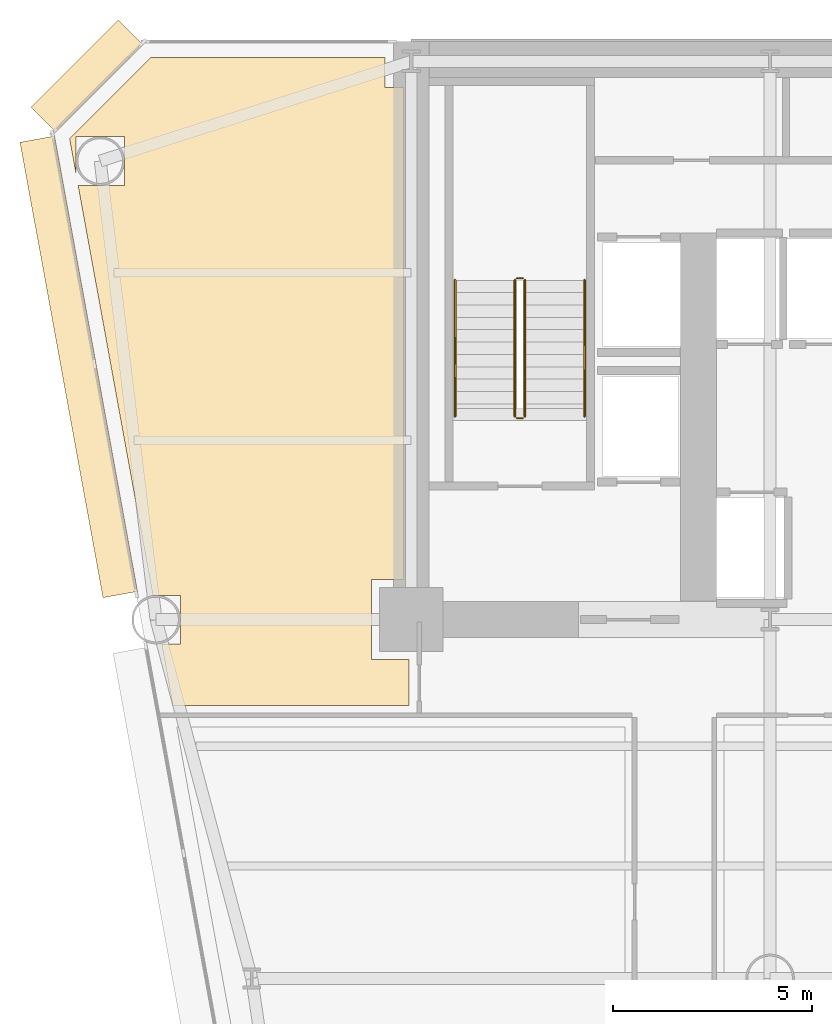
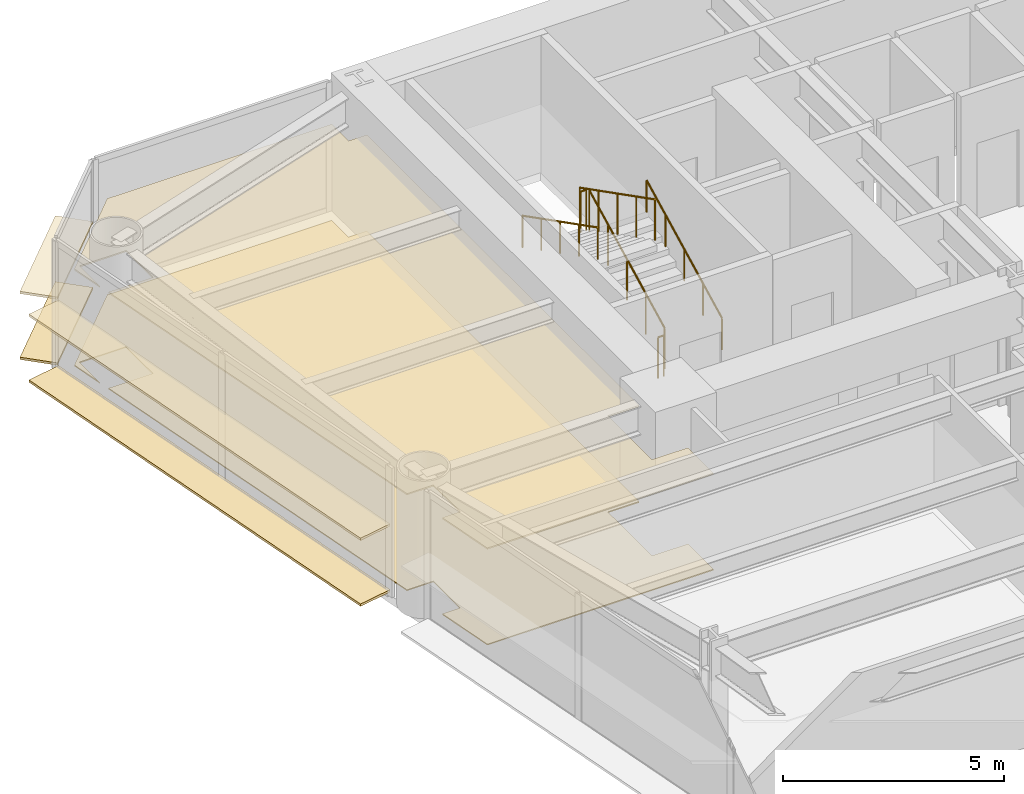
# One storey, part 12 of 14: 6 coverings, 6 railings.
"""IFC4 building model written with IfcOpenShell, lengths in metres."""

from ifc_helpers import new_model, si_unit, direction, frame, origin, origin_2d, place, context, subcontext, project, spatial, polyline, rectangle, circle, outline, extrude, source, transform, mapped, material, layer, layer_set, type_object, element, save


model = new_model("IFC4")

# Units and contexts
model_context = context("Model", 3, precision=1e-05, world=origin(), true_north=direction((0.0, 1.0)))
body_context = subcontext(model_context, "Body", "Model", "MODEL_VIEW")
ifc_project = project(units=[si_unit("LENGTHUNIT", "METRE"), si_unit("AREAUNIT", "SQUARE_METRE"), si_unit("VOLUMEUNIT", "CUBIC_METRE"), si_unit("PLANEANGLEUNIT", "RADIAN"), si_unit("MASSUNIT", "GRAM", prefix="KILO")], contexts=[model_context])

# Site, building, storey
site_placement = place(None, origin())
site = spatial("IfcSite", under=ifc_project, at=site_placement, CompositionType="ELEMENT")
building_placement = place(site_placement, origin())
building = spatial("IfcBuilding", under=site, at=building_placement, Name="Vaeldorn Concourse Tower", CompositionType="ELEMENT")
storey_placement = place(building_placement, frame((0.0, 0.0, 53.0)))
storey = spatial("IfcBuildingStorey", under=building, at=storey_placement, Name="L13", CompositionType="ELEMENT", Elevation=53.0)

# Coverings
ifc_material_1 = material(Name="Acoustic Mineral Fibre Board", Category="gypsum")
ifc_layer_1 = layer(ifc_material_1, 0.0400390625)
ifc_layer_set_1 = layer_set([ifc_layer_1], Name="Acoustic Mineral Fibre Board")
covering_type_1 = type_object("IfcCoveringType", Name="COV-CEIL-ACOUSTIC", PredefinedType="CEILING", material=ifc_layer_set_1)
covering_1_placement = place(storey_placement, frame((0.0, 0.0, 2.64990234375)))
element("IfcCovering", 1, at=covering_1_placement, inside=storey, type_object=covering_type_1, Name="Suspended Acoustic Ceiling L13-3", PredefinedType="CEILING", context=body_context, shape_type="SweptSolid", body=[
    extrude(outline(polyline([(7.4658203125, 50.60009765625), (13.340087890625, 50.60009765625), (13.340087890625, 49.840087890625), (13.820068359375, 49.840087890625), (13.820068359375, 37.5), (13.0, 37.5), (13.0, 35.5), (13.93994140625, 35.5), (13.93994140625, 34.340087890625), (8.022216796875, 34.340087890625), (7.739990234375, 35.890380859375), (8.20947265625, 35.890380859375), (8.20947265625, 37.109619140625), (7.517822265625, 37.109619140625), (5.64501953125, 47.390380859375), (6.8095703125, 47.390380859375), (6.8095703125, 48.609619140625), (5.590576171875, 48.609619140625), (5.590576171875, 47.690185546875), (5.43115234375, 48.5654296875), (7.4658203125, 50.60009765625)])), origin(), (0.0, 0.0, 1.0), 0.0400390625),
])
ifc_material_2 = material(Name="Honed Limestone Terrazzo Flooring", Category="masonry")
ifc_layer_2 = layer(ifc_material_2, 0.0400390625)
ifc_layer_set_2 = layer_set([ifc_layer_2], Name="Honed Limestone Terrazzo Flooring")
covering_type_2 = type_object("IfcCoveringType", Name="COV-FLOOR-STONE", PredefinedType="FLOORING", material=ifc_layer_set_2)
covering_2_placement = place(storey_placement, origin())
element("IfcCovering", 2, at=covering_2_placement, inside=storey, type_object=covering_type_2, Name="Floor Finish Covering L13-3", PredefinedType="FLOORING", context=body_context, shape_type="SweptSolid", body=[
    extrude(outline(polyline([(7.4658203125, 50.60009765625), (13.340087890625, 50.60009765625), (13.340087890625, 49.840087890625), (13.820068359375, 49.840087890625), (13.820068359375, 37.5), (13.0, 37.5), (13.0, 35.5), (13.93994140625, 35.5), (13.93994140625, 34.340087890625), (8.022216796875, 34.340087890625), (7.739990234375, 35.890380859375), (8.20947265625, 35.890380859375), (8.20947265625, 37.109619140625), (7.517822265625, 37.109619140625), (5.64501953125, 47.390380859375), (6.8095703125, 47.390380859375), (6.8095703125, 48.609619140625), (5.590576171875, 48.609619140625), (5.590576171875, 47.690185546875), (5.43115234375, 48.5654296875), (7.4658203125, 50.60009765625)])), origin(), (0.0, 0.0, 1.0), 0.030029296875),
])

# Railings
ifc_material_3 = material(Name="Anodised Bronze Aluminium", Category="aluminium")
railing_type_1 = type_object("IfcRailingType", Name="RL-STAIR-GUARD", PredefinedType="GUARDRAIL", material=ifc_material_3)
railing_1_placement = place(storey_placement, frame((16.85009765625, 41.60009765625, 0.158447265625)))
element("IfcRailing", 3, at=railing_1_placement, inside=storey, type_object=railing_type_1, Name="L13 ST-1 stair guard 1", PredefinedType="GUARDRAIL", context=body_context, shape_type="SweptSolid", body=[
    extrude(circle(Radius=0.02392578125, at=origin_2d()), frame((0.0, 0.0, 1.1259765625), z_axis=(0.0, 0.890581635807, 0.454823427236), x_axis=(-1.0, 0.0, 0.0)), (0.0, 0.0, 1.0), 3.828857421875),
    extrude(circle(Radius=0.02099609375, at=origin_2d()), origin(), (0.0, 0.0, 1.0), 1.101806640625),
    extrude(circle(Radius=0.02099609375, at=origin_2d()), frame((0.0, 0.8525390625, 0.435302734375)), (0.0, 0.0, 1.0), 1.101806640625),
    extrude(circle(Radius=0.02099609375, at=origin_2d()), frame((0.0, 1.705078125, 0.87060546875)), (0.0, 0.0, 1.0), 1.101806640625),
    extrude(circle(Radius=0.02099609375, at=origin_2d()), frame((0.0, 2.557373046875, 1.30615234375)), (0.0, 0.0, 1.0), 1.101806640625),
    extrude(circle(Radius=0.02099609375, at=origin_2d()), frame((0.0, 3.409912109375, 1.741455078125)), (0.0, 0.0, 1.0), 1.101806640625),
])
railing_2_placement = place(storey_placement, frame((16.800048828125, 45.06005859375, 1.89990234375)))
element("IfcRailing", 4, at=railing_2_placement, inside=storey, type_object=railing_type_1, Name="L13 ST-1 stair guard 2", PredefinedType="GUARDRAIL", context=body_context, shape_type="SweptSolid", body=[
    extrude(circle(Radius=0.02392578125, at=origin_2d()), frame((0.0, 0.0, 1.1259765625), z_axis=(-1.0, 0.0, 0.0), x_axis=(0.0, -1.0, 0.0)), (0.0, 0.0, 1.0), 0.150146484375),
    extrude(circle(Radius=0.02099609375, at=origin_2d()), origin(), (0.0, 0.0, 1.0), 1.101806640625),
    extrude(circle(Radius=0.02099609375, at=origin_2d()), frame((-0.150146484375, 0.0, 0.0)), (0.0, 0.0, 1.0), 1.101806640625),
])
railing_3_placement = place(storey_placement, frame((16.60009765625, 45.010009765625, 2.058349609375)))
element("IfcRailing", 5, at=railing_3_placement, inside=storey, type_object=railing_type_1, Name="L13 ST-1 stair guard 3", PredefinedType="GUARDRAIL", context=body_context, shape_type="SweptSolid", body=[
    extrude(circle(Radius=0.02392578125, at=origin_2d()), frame((0.0, 0.0, 1.1259765625), z_axis=(0.0, -0.890555807335, 0.454873997962), x_axis=(1.0, 0.0, 0.0)), (0.0, 0.0, 1.0), 3.828857421875),
    extrude(circle(Radius=0.02099609375, at=origin_2d()), origin(), (0.0, 0.0, 1.0), 1.101806640625),
    extrude(circle(Radius=0.02099609375, at=origin_2d()), frame((0.0, -0.8525390625, 0.435546875)), (0.0, 0.0, 1.0), 1.101806640625),
    extrude(circle(Radius=0.02099609375, at=origin_2d()), frame((0.0, -1.705078125, 0.870849609375)), (0.0, 0.0, 1.0), 1.101806640625),
    extrude(circle(Radius=0.02099609375, at=origin_2d()), frame((0.0, -2.557373046875, 1.30615234375)), (0.0, 0.0, 1.0), 1.101806640625),
    extrude(circle(Radius=0.02099609375, at=origin_2d()), frame((0.0, -3.409912109375, 1.74169921875)), (0.0, 0.0, 1.0), 1.101806640625),
])
railing_4_placement = place(storey_placement, frame((16.800048828125, 41.550048828125, 0.0)))
element("IfcRailing", 6, at=railing_4_placement, inside=storey, type_object=railing_type_1, Name="L13 ST-1 stair guard 4", PredefinedType="GUARDRAIL", context=body_context, shape_type="SweptSolid", body=[
    extrude(circle(Radius=0.02392578125, at=origin_2d()), frame((0.0, 0.0, 1.1259765625), z_axis=(-1.0, 0.0, 0.0), x_axis=(0.0, -1.0, 0.0)), (0.0, 0.0, 1.0), 0.150146484375),
    extrude(circle(Radius=0.02099609375, at=origin_2d()), origin(), (0.0, 0.0, 1.0), 1.101806640625),
    extrude(circle(Radius=0.02099609375, at=origin_2d()), frame((-0.150146484375, 0.0, 0.0)), (0.0, 0.0, 1.0), 1.101806640625),
])
railing_type_2 = type_object("IfcRailingType", Name="RL-STAIR-HANDRAIL", PredefinedType="HANDRAIL", material=ifc_material_3)
railing_5_placement = place(storey_placement, frame((18.35009765625, 41.60009765625, 0.158447265625)))
element("IfcRailing", 7, at=railing_5_placement, inside=storey, type_object=railing_type_2, Name="L13 ST-1 stair handrail 1", PredefinedType="HANDRAIL", context=body_context, shape_type="SweptSolid", body=[
    extrude(circle(Radius=0.02392578125, at=origin_2d()), frame((0.0, 0.0, 0.8759765625), z_axis=(0.0, 0.890581635807, 0.454823427236), x_axis=(-1.0, 0.0, 0.0)), (0.0, 0.0, 1.0), 3.828857421875),
    extrude(circle(Radius=0.02099609375, at=origin_2d()), origin(), (0.0, 0.0, 1.0), 0.851806640625),
    extrude(circle(Radius=0.02099609375, at=origin_2d()), frame((0.0, 0.8525390625, 0.435302734375)), (0.0, 0.0, 1.0), 0.851806640625),
    extrude(circle(Radius=0.02099609375, at=origin_2d()), frame((0.0, 1.705078125, 0.87060546875)), (0.0, 0.0, 1.0), 0.851806640625),
    extrude(circle(Radius=0.02099609375, at=origin_2d()), frame((0.0, 2.557373046875, 1.30615234375)), (0.0, 0.0, 1.0), 0.851806640625),
    extrude(circle(Radius=0.02099609375, at=origin_2d()), frame((0.0, 3.409912109375, 1.741455078125)), (0.0, 0.0, 1.0), 0.851806640625),
])
railing_6_placement = place(storey_placement, frame((15.10009765625, 45.010009765625, 2.058349609375)))
element("IfcRailing", 8, at=railing_6_placement, inside=storey, type_object=railing_type_2, Name="L13 ST-1 stair handrail 2", PredefinedType="HANDRAIL", context=body_context, shape_type="SweptSolid", body=[
    extrude(circle(Radius=0.02392578125, at=origin_2d()), frame((0.0, 0.0, 0.8759765625), z_axis=(0.0, -0.890555807335, 0.454873997962), x_axis=(1.0, 0.0, 0.0)), (0.0, 0.0, 1.0), 3.828857421875),
    extrude(circle(Radius=0.02099609375, at=origin_2d()), origin(), (0.0, 0.0, 1.0), 0.851806640625),
    extrude(circle(Radius=0.02099609375, at=origin_2d()), frame((0.0, -0.8525390625, 0.435546875)), (0.0, 0.0, 1.0), 0.851806640625),
    extrude(circle(Radius=0.02099609375, at=origin_2d()), frame((0.0, -1.705078125, 0.870849609375)), (0.0, 0.0, 1.0), 0.851806640625),
    extrude(circle(Radius=0.02099609375, at=origin_2d()), frame((0.0, -2.557373046875, 1.30615234375)), (0.0, 0.0, 1.0), 0.851806640625),
    extrude(circle(Radius=0.02099609375, at=origin_2d()), frame((0.0, -3.409912109375, 1.74169921875)), (0.0, 0.0, 1.0), 0.851806640625),
])

# Coverings
ifc_layer_3 = layer(ifc_material_3, 0.06494140625)
ifc_layer_set_3 = layer_set([ifc_layer_3], Name="Anodised Bronze Aluminium")
covering_type_3 = type_object("IfcCoveringType", Name="SD-BRONZE-SUNSHADE", PredefinedType="USERDEFINED", material=ifc_layer_set_3)
shared_shape_1 = source(origin(), body_context, "Body", "SweptSolid", [
    extrude(rectangle(XDim=3.0927734375, YDim=0.8798828125, at=origin_2d()), origin(), (0.0, 0.0, 1.0), 0.06494140625),
])
for number, where, z_axis, x_axis, name in (
    (9, (5.8671875, 50.1328125, 0.047607421875), (0.0, 0.0, 1.0), (-0.707106781187, -0.707106781187, 0.0), "Horizontal Bronze Sunshade L13-E10.1.1"),
    (10, (5.8671875, 50.1328125, 1.867431640625), (0.0, 0.0, 1.0), (-0.707106781187, -0.707106781187, 0.0), "Horizontal Bronze Sunshade L13-E10.1.2"),
):
    element("IfcCovering", number, at=place(storey_placement, frame(where, z_axis=z_axis, x_axis=x_axis)), inside=storey, type_object=covering_type_3, Name=name, ObjectType="SUNSHADE", PredefinedType="USERDEFINED", context=body_context, shape_type="MappedRepresentation", body=[
        mapped(shared_shape_1, transform((0.0, 0.0, 0.0), scale=1.0)),
    ])
shared_shape_2 = source(origin(), body_context, "Body", "SweptSolid", [
    extrude(rectangle(XDim=11.611083984375, YDim=0.8798828125, at=origin_2d()), origin(), (0.0, 0.0, 1.0), 0.06494140625),
])
for number, where, z_axis, x_axis, name in (
    (11, (5.6611328125, 42.838134765625, 0.047607421875), (0.0, 0.0, 1.0), (0.179197157467, -0.983813182853, 0.0), "Horizontal Bronze Sunshade L13-E11.1.1"),
    (12, (5.6611328125, 42.838134765625, 1.867431640625), (0.0, 0.0, 1.0), (0.179197157467, -0.983813182853, 0.0), "Horizontal Bronze Sunshade L13-E11.1.2"),
):
    element("IfcCovering", number, at=place(storey_placement, frame(where, z_axis=z_axis, x_axis=x_axis)), inside=storey, type_object=covering_type_3, Name=name, ObjectType="SUNSHADE", PredefinedType="USERDEFINED", context=body_context, shape_type="MappedRepresentation", body=[
        mapped(shared_shape_2, transform((0.0, 0.0, 0.0), scale=1.0)),
    ])

save(model, "model.ifc")
